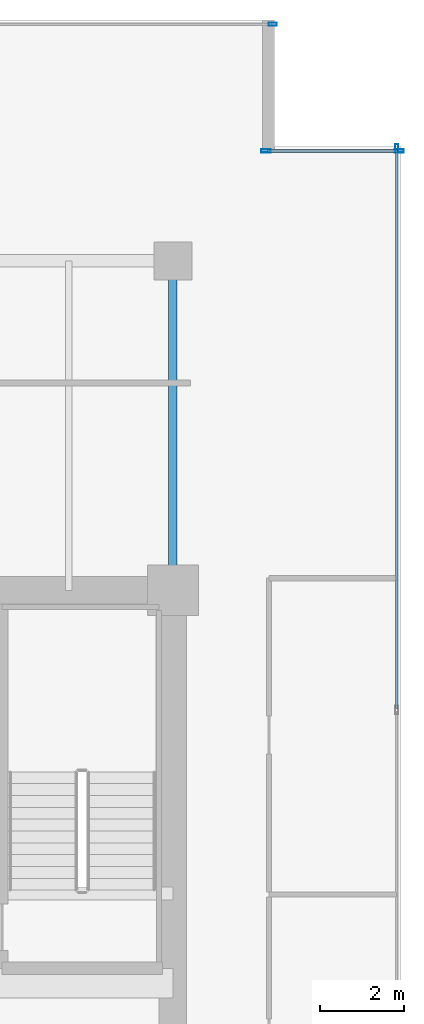
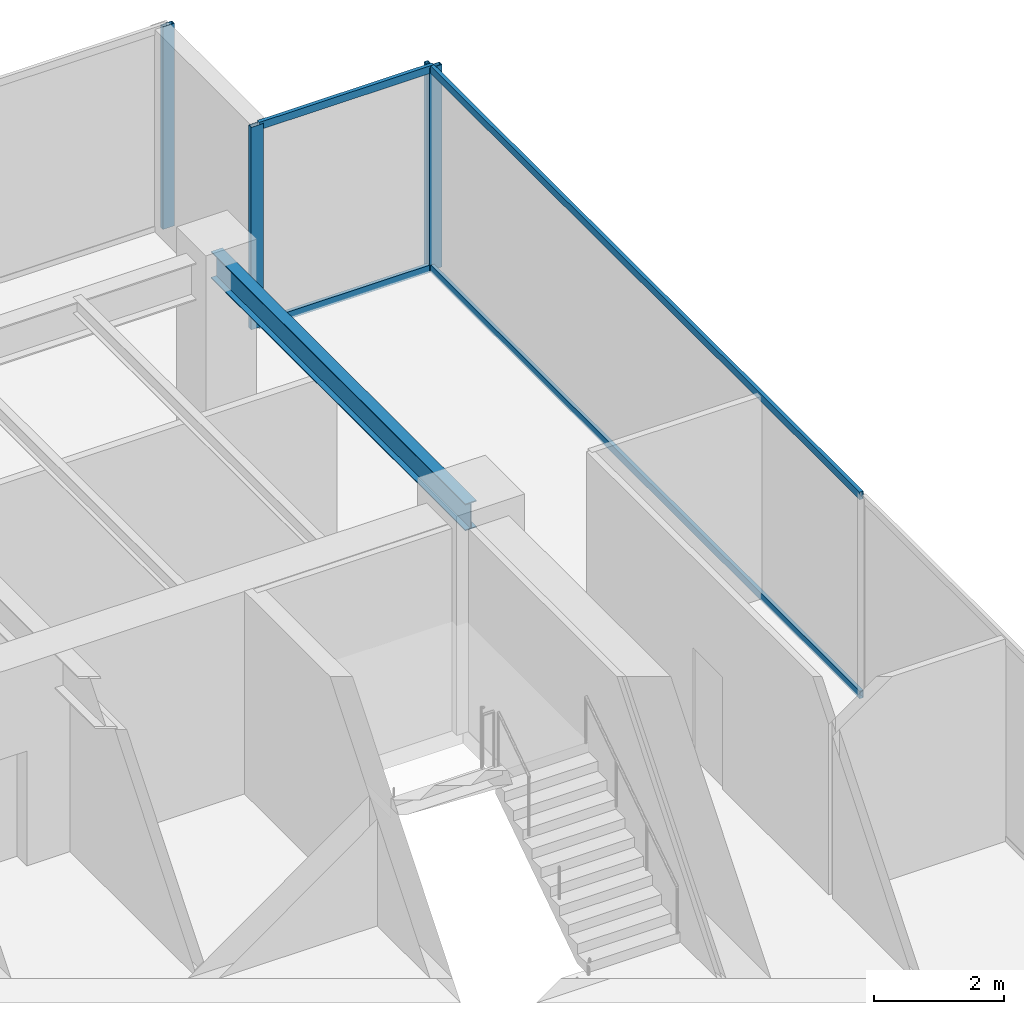
# One storey, part 23 of 30: 8 members, 1 beam, 3 elements without a shape of their own.
"""IFC4 building model written with IfcOpenShell, lengths in metres."""

from ifc_helpers import new_model, si_unit, direction, frame, origin, origin_2d, place, context, subcontext, project, spatial, hollow_rectangle, i_section, extrude, source, transform, mapped, material, layer, layer_set, material_profile, profile_set, type_object, type_shapes, element, aggregate, save


model = new_model("IFC4")

# Units and contexts
model_context = context("Model", 3, precision=1e-05, world=origin(), true_north=direction((0.0, 1.0)))
body_context = subcontext(model_context, "Body", "Model", "MODEL_VIEW")
ifc_project = project(units=[si_unit("LENGTHUNIT", "METRE"), si_unit("AREAUNIT", "SQUARE_METRE"), si_unit("VOLUMEUNIT", "CUBIC_METRE"), si_unit("PLANEANGLEUNIT", "RADIAN"), si_unit("MASSUNIT", "GRAM", prefix="KILO")], contexts=[model_context])

# Site, building, storey
site_placement = place(None, origin())
site = spatial("IfcSite", under=ifc_project, at=site_placement, CompositionType="ELEMENT")
building_placement = place(site_placement, origin())
building = spatial("IfcBuilding", under=site, at=building_placement, Name="Haelvirn Gate Laboratories", CompositionType="ELEMENT")
storey_placement = place(building_placement, frame((0.0, 0.0, 142.0)))
storey = spatial("IfcBuildingStorey", under=building, at=storey_placement, Name="L34", CompositionType="ELEMENT", Elevation=142.0)

# Beam
ifc_material_1 = material(Name="Steel SM355", Category="steel")
ifc_material_profile_1 = material_profile(ifc_material_1, i_section(OverallWidth=0.199951171875, OverallDepth=0.5, WebThickness=0.010009765625, FlangeThickness=0.01611328125, at=origin_2d()), Name="H-500x200x10x16")
ifc_profile_set_1 = profile_set([ifc_material_profile_1], Name="Steel SM355")
beam_type = type_object("IfcBeamType", Name="BM-SP-500", PredefinedType="SPANDREL", material=ifc_profile_set_1)
shared_shape_1 = source(origin(), body_context, "Body", "SweptSolid", [
    extrude(i_section(OverallWidth=0.199951171875, OverallDepth=0.5, WebThickness=0.010009765625, FlangeThickness=0.01611328125, at=origin_2d()), origin(), (0.0, 0.0, 1.0), 7.800048828125),
])
type_shapes(beam_type, [shared_shape_1])
beam_placement = place(storey_placement, frame((67.39990234375, 33.800048828125, 3.5400390625), z_axis=(0.0, 1.0, 0.0), x_axis=(-1.0, 0.0, 0.0)))
element("IfcBeam", 1, at=beam_placement, inside=storey, type_object=beam_type, Name="L34 Perimeter Spandrel X67.4 (33.8-41.6)", PredefinedType="SPANDREL", context=body_context, shape_type="MappedRepresentation", body=[
    mapped(shared_shape_1, transform((0.0, 0.0, 0.0), scale=1.0)),
])

# Curtain wall, members
ifc_material_2 = material(Name="Anodised bronze unitised aluminium & triple low-E glass", Category="aluminium")
ifc_layer_1 = layer(ifc_material_2, 0.181884765625, Name="CW-SYS-5")
ifc_layer_set_1 = layer_set([ifc_layer_1], Name="Anodised bronze unitised aluminium & triple low-E glass")
curtain_wall_type_1 = type_object("IfcCurtainWallType", Name="CW-SYS-5", PredefinedType="NOTDEFINED", material=ifc_layer_set_1)
curtain_wall_1_placement = place(storey_placement, origin())
curtain_wall_1 = element("IfcCurtainWall", 2, at=curtain_wall_1_placement, inside=storey, type_object=curtain_wall_type_1, Name="L34 Unitised Curtain Wall CW-L34-P0-E08-1", PredefinedType="NOTDEFINED")
ifc_material_3 = material(Name="Extruded aluminium 6063-T6 (anodised bronze)", Category="aluminium")
ifc_material_profile_2 = material_profile(ifc_material_3, hollow_rectangle(XDim=0.06494140625, YDim=0.139892578125, WallThickness=0.00390625, at=origin_2d()), Name="CWT-140x65x4")
ifc_profile_set_2 = profile_set([ifc_material_profile_2], Name="Extruded aluminium 6063-T6 (anodised bronze)")
member_type_1 = type_object("IfcMemberType", Name="CWT-T140", PredefinedType="USERDEFINED", material=ifc_profile_set_2)
shared_shape_2 = source(origin(), body_context, "Body", "SweptSolid", [
    extrude(hollow_rectangle(XDim=0.06494140625, YDim=0.139892578125, WallThickness=0.00390625, at=origin_2d()), origin(), (0.0, 0.0, 1.0), 3.080078125),
])
member_1_placement = place(storey_placement, frame((69.639892578125, 44.199951171875, 0.032470703125), z_axis=(1.0, 0.0, 0.0), x_axis=(0.0, 1.0, 0.0)))
member_1 = element("IfcMember", 3, at=member_1_placement, type_object=member_type_1, Name="CW5 transom 1.1", ObjectType="TRANSOM", PredefinedType="USERDEFINED", context=body_context, shape_type="MappedRepresentation", body=[
    mapped(shared_shape_2, transform((0.0, 0.0, 0.0), scale=1.0)),
])
member_2_placement = place(storey_placement, frame((69.639892578125, 44.199951171875, 3.757568359375), z_axis=(1.0, 0.0, 0.0), x_axis=(0.0, 1.0, 0.0)))
member_2 = element("IfcMember", 4, at=member_2_placement, type_object=member_type_1, Name="CW5 transom 1.2", ObjectType="TRANSOM", PredefinedType="USERDEFINED", context=body_context, shape_type="MappedRepresentation", body=[
    mapped(shared_shape_2, transform((0.0, 0.0, 0.0), scale=1.0)),
])

ifc_layer_2 = layer(ifc_material_2, 0.179931640625, Name="CW-SYS-3")
ifc_layer_set_2 = layer_set([ifc_layer_2], Name="Anodised bronze unitised aluminium & triple low-E glass")
curtain_wall_type_2 = type_object("IfcCurtainWallType", Name="CW-SYS-3", PredefinedType="NOTDEFINED", material=ifc_layer_set_2)
curtain_wall_2_placement = place(storey_placement, origin())
curtain_wall_2 = element("IfcCurtainWall", 5, at=curtain_wall_2_placement, inside=storey, type_object=curtain_wall_type_2, Name="L34 Unitised Curtain Wall CW-L34-P0-E07", PredefinedType="NOTDEFINED")
shared_shape_3 = source(origin(), body_context, "Body", "SweptSolid", [
    extrude(hollow_rectangle(XDim=0.06494140625, YDim=0.139892578125, WallThickness=0.00390625, at=origin_2d()), origin(), (0.0, 0.0, 1.0), 13.220947265625),
])
type_shapes(member_type_1, [shared_shape_2, shared_shape_3])
member_3_placement = place(storey_placement, frame((72.699951171875, 31.004150390625, 0.032470703125), z_axis=(0.0, 1.0, 0.0), x_axis=(-1.0, 0.0, 0.0)))
member_3 = element("IfcMember", 6, at=member_3_placement, type_object=member_type_1, Name="CW3 transom 3.1", ObjectType="TRANSOM", PredefinedType="USERDEFINED", context=body_context, shape_type="MappedRepresentation", body=[
    mapped(shared_shape_3, transform((0.0, 0.0, 0.0), scale=1.0)),
])
member_4_placement = place(storey_placement, frame((72.699951171875, 31.004150390625, 3.757568359375), z_axis=(0.0, 1.0, 0.0), x_axis=(-1.0, 0.0, 0.0)))
member_4 = element("IfcMember", 7, at=member_4_placement, type_object=member_type_1, Name="CW3 transom 3.2", ObjectType="TRANSOM", PredefinedType="USERDEFINED", context=body_context, shape_type="MappedRepresentation", body=[
    mapped(shared_shape_3, transform((0.0, 0.0, 0.0), scale=1.0)),
])
ifc_material_profile_3 = material_profile(ifc_material_3, hollow_rectangle(XDim=0.074951171875, YDim=0.199951171875, WallThickness=0.0048828125, at=origin_2d()), Name="CWM-200x75x5")
ifc_profile_set_3 = profile_set([ifc_material_profile_3], Name="Extruded aluminium 6063-T6 (anodised bronze)")
member_type_2 = type_object("IfcMemberType", Name="CWM-T200", PredefinedType="MULLION", material=ifc_profile_set_3)
shared_shape_4 = source(origin(), body_context, "Body", "SweptSolid", [
    extrude(hollow_rectangle(XDim=0.074951171875, YDim=0.199951171875, WallThickness=0.0048828125, at=origin_2d()), origin(), (0.0, 0.0, 1.0), 3.7900390625),
])
type_shapes(member_type_2, [shared_shape_4])
member_5_placement = place(storey_placement, frame((72.699951171875, 44.262451171875, 0.0), z_axis=(0.0, 0.0, 1.0), x_axis=(-1.0, 0.0, 0.0)))
member_5 = element("IfcMember", 8, at=member_5_placement, type_object=member_type_2, Name="CW3 mullion 4", PredefinedType="MULLION", context=body_context, shape_type="MappedRepresentation", body=[
    mapped(shared_shape_4, transform((0.0, 0.0, 0.0), scale=1.0)),
])
aggregate(curtain_wall_2, [member_5, member_3, member_4])

# Curtain wall, member
curtain_wall_3_placement = place(storey_placement, origin())
curtain_wall_3 = element("IfcCurtainWall", 9, at=curtain_wall_3_placement, inside=storey, type_object=curtain_wall_type_2, Name="L34 Unitised Curtain Wall CW-L34-P0-E10-1", PredefinedType="NOTDEFINED")
member_6_placement = place(storey_placement, frame((69.762451171875, 47.199951171875, 0.0), z_axis=(0.0, 0.0, 1.0), x_axis=(0.0, 1.0, 0.0)))
member_6 = element("IfcMember", 10, at=member_6_placement, type_object=member_type_2, Name="CW3 mullion 3", PredefinedType="MULLION", context=body_context, shape_type="MappedRepresentation", body=[
    mapped(shared_shape_4, transform((0.0, 0.0, 0.0), scale=1.0)),
])
aggregate(curtain_wall_3, [member_6])

# Member
ifc_material_profile_4 = material_profile(ifc_material_3, hollow_rectangle(XDim=0.080078125, YDim=0.219970703125, WallThickness=0.006103515625, at=origin_2d()), Name="CWM-220x80x6")
ifc_profile_set_4 = profile_set([ifc_material_profile_4], Name="Extruded aluminium 6063-T6 (anodised bronze)")
member_type_3 = type_object("IfcMemberType", Name="CWM-T220", PredefinedType="MULLION", material=ifc_profile_set_4)
shared_shape_5 = source(origin(), body_context, "Body", "SweptSolid", [
    extrude(hollow_rectangle(XDim=0.080078125, YDim=0.219970703125, WallThickness=0.006103515625, at=origin_2d()), origin(), (0.0, 0.0, 1.0), 3.7900390625),
])
type_shapes(member_type_3, [shared_shape_5])
member_7_placement = place(storey_placement, frame((69.60009765625, 44.199951171875, 0.0), z_axis=(0.0, 0.0, 1.0), x_axis=(0.0, 1.0, 0.0)))
member_7 = element("IfcMember", 11, at=member_7_placement, type_object=member_type_3, Name="CW5 mullion 1", PredefinedType="MULLION", context=body_context, shape_type="MappedRepresentation", body=[
    mapped(shared_shape_5, transform((0.0, 0.0, 0.0), scale=1.0)),
])

member_8_placement = place(storey_placement, frame((72.760009765625, 44.199951171875, 0.0), z_axis=(0.0, 0.0, 1.0), x_axis=(0.0, 1.0, 0.0)))
member_8 = element("IfcMember", 12, at=member_8_placement, type_object=member_type_3, Name="CW5 mullion 2", PredefinedType="MULLION", context=body_context, shape_type="MappedRepresentation", body=[
    mapped(shared_shape_5, transform((0.0, 0.0, 0.0), scale=1.0)),
])

aggregate(curtain_wall_1, [member_7, member_8, member_1, member_2])

save(model, "model.ifc")
